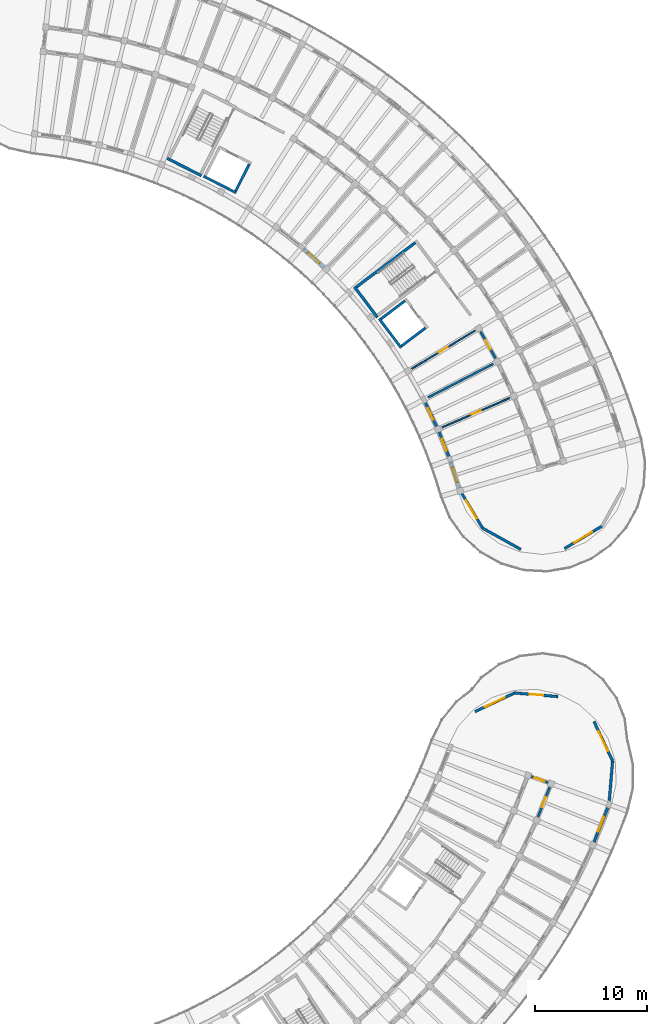
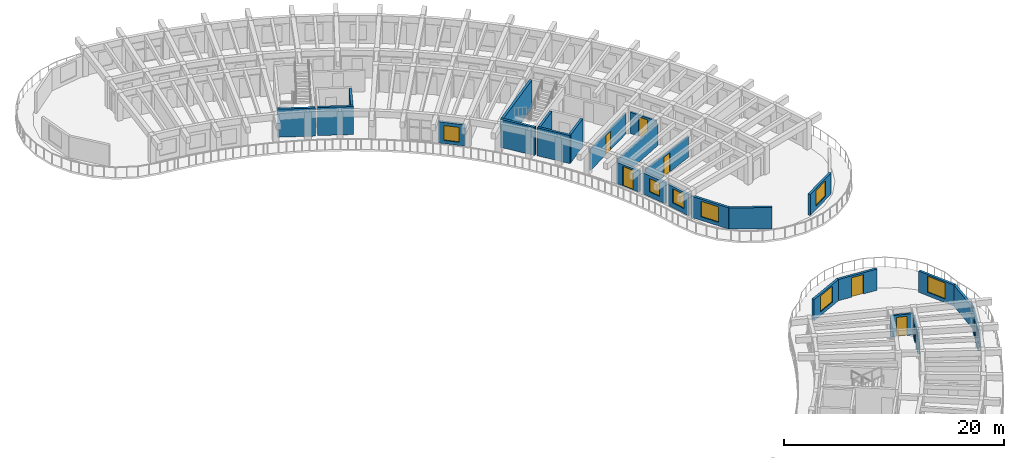
# One storey, part 55 of 81: 26 walls, 8 windows, 7 doors, 15 openings.
"""IFC4 building model written with IfcOpenShell, lengths in metres."""

from ifc_helpers import new_model, si_unit, direction, frame, frame_2d, origin, place, context, subcontext, project, spatial, rectangle, extrude, material, layer, layer_set, type_object, element, fill, save


model = new_model("IFC4")

# Units and contexts
model_context = context("Model", 3, precision=1e-05, world=origin(), true_north=direction((0.0, 1.0)))
body_context = subcontext(model_context, "Body", "Model", "MODEL_VIEW")
ifc_project = project(units=[si_unit("LENGTHUNIT", "METRE"), si_unit("AREAUNIT", "SQUARE_METRE"), si_unit("VOLUMEUNIT", "CUBIC_METRE"), si_unit("PLANEANGLEUNIT", "RADIAN"), si_unit("MASSUNIT", "GRAM", prefix="KILO")], contexts=[model_context])

# Site, building, storey
site_placement = place(None, origin())
site = spatial("IfcSite", under=ifc_project, at=site_placement, CompositionType="ELEMENT")
building_placement = place(site_placement, origin())
building = spatial("IfcBuilding", under=site, at=building_placement, Name="Tanwirah Colonnade Gardens", CompositionType="ELEMENT")
storey_placement = place(building_placement, frame((0.0, 0.0, 18.919921875)))
storey = spatial("IfcBuildingStorey", under=building, at=storey_placement, Name="L05", CompositionType="ELEMENT", Elevation=18.919921875)

# Wall, opening, window
ifc_material_1 = material(Name="Limestone architectural precast concrete C40/50", Category="masonry")
ifc_layer_1 = layer(ifc_material_1, 0.239990234375)
ifc_layer_set_1 = layer_set([ifc_layer_1], Name="Limestone architectural precast concrete C40/50")
wall_type_1 = type_object("IfcWallType", Name="EW-PC240", PredefinedType="SOLIDWALL", material=ifc_layer_set_1)
wall_1_placement = place(storey_placement, frame((163.65283203125, 72.685302734375, 0.0), z_axis=(0.0, 0.0, 1.0), x_axis=(-0.30716379336, 0.951656662903, 0.0)))
wall_1 = element("IfcWall", 1, at=wall_1_placement, inside=storey, type_object=wall_type_1, Name="Block B L05 IN Precast Facade Wall 0", PredefinedType="SOLIDWALL", context=body_context, shape_type="SweptSolid", body=[
    extrude(rectangle(XDim=2.525146484375, YDim=0.239990234375, at=frame_2d((1.2626953125, 0.0))), origin(), (0.0, 0.0, 1.0), 2.35498046875),
])
opening_1_placement = place(wall_1_placement, frame((0.572509765625, 0.0, 0.550048828125)))
opening_1 = element("IfcOpeningElement", 2, at=opening_1_placement, cuts=wall_1, Name="Opening WIN-T18", PredefinedType="OPENING", context=body_context, shape_type="SweptSolid", body=[
    extrude(rectangle(XDim=1.3798828125, YDim=1.56005859375, at=frame_2d((0.68994140625, 0.780029296875))), frame((0.0, 0.1298828125, 0.0), z_axis=(0.0, -1.0, 0.0), x_axis=(1.0, 0.0, 0.0)), (0.0, 0.0, 1.0), 0.260009765625),
])
ifc_material_2 = material(Name="Thermally broken bronze aluminium and solar low-E double glazing", Category="aluminium")
window_type_1 = type_object("IfcWindowType", Name="WIN-T18", PartitioningType="DOUBLE_PANEL_VERTICAL", PredefinedType="WINDOW", material=ifc_material_2)
window_1_placement = place(opening_1_placement, origin())
window_1 = element("IfcWindow", 3, at=window_1_placement, inside=storey, type_object=window_type_1, Name="Facade window B-L05-IN-00", OverallHeight=1.56005859375, OverallWidth=1.3798828125, PartitioningType="SINGLE_PANEL", PredefinedType="WINDOW", context=body_context, shape_type="SweptSolid", body=[
    extrude(rectangle(XDim=1.3798828125, YDim=1.56005859375, at=frame_2d((0.68994140625, 0.780029296875))), frame((0.0, 0.030029296875, 0.0), z_axis=(0.0, -1.0, 0.0), x_axis=(1.0, 0.0, 0.0)), (0.0, 0.0, 1.0), 0.06005859375),
])
fill(opening_1, window_1)

wall_2_placement = place(storey_placement, frame((162.768798828125, 75.389404296875, 0.0), z_axis=(0.0, 0.0, 1.0), x_axis=(-0.369122600107, 0.92938071106, 0.0)))
wall_2 = element("IfcWall", 4, at=wall_2_placement, inside=storey, type_object=wall_type_1, Name="Block B L05 IN Precast Facade Wall 1", PredefinedType="SOLIDWALL", context=body_context, shape_type="SweptSolid", body=[
    extrude(rectangle(XDim=2.525146484375, YDim=0.239990234375, at=frame_2d((1.2626953125, 0.0))), origin(), (0.0, 0.0, 1.0), 2.35498046875),
])
opening_2_placement = place(wall_2_placement, frame((0.6826171875, 0.0, 0.550048828125)))
opening_2 = element("IfcOpeningElement", 5, at=opening_2_placement, cuts=wall_2, Name="Opening WIN-U01", PredefinedType="OPENING", context=body_context, shape_type="SweptSolid", body=[
    extrude(rectangle(XDim=1.159912109375, YDim=1.485107421875, at=frame_2d((0.580078125, 0.74267578125))), frame((0.0, 0.1298828125, 0.0), z_axis=(0.0, -1.0, 0.0), x_axis=(1.0, 0.0, 0.0)), (0.0, 0.0, 1.0), 0.260009765625),
])
window_type_2 = type_object("IfcWindowType", Name="WIN-U01", PartitioningType="DOUBLE_PANEL_VERTICAL", PredefinedType="WINDOW", material=ifc_material_2)
window_2_placement = place(opening_2_placement, origin())
window_2 = element("IfcWindow", 6, at=window_2_placement, inside=storey, type_object=window_type_2, Name="Facade window B-L05-IN-01", OverallHeight=1.485107421875, OverallWidth=1.159912109375, PartitioningType="SINGLE_PANEL", PredefinedType="WINDOW", context=body_context, shape_type="SweptSolid", body=[
    extrude(rectangle(XDim=1.159912109375, YDim=1.485107421875, at=frame_2d((0.580078125, 0.74267578125))), frame((0.0, 0.030029296875, 0.0), z_axis=(0.0, -1.0, 0.0), x_axis=(1.0, 0.0, 0.0)), (0.0, 0.0, 1.0), 0.06005859375),
])
fill(opening_2, window_2)

# Wall, opening, door
wall_3_placement = place(storey_placement, frame((161.640869140625, 78.18505859375, 0.0), z_axis=(0.0, 0.0, 1.0), x_axis=(-0.429610836066, 0.903014135844, 0.0)))
wall_3 = element("IfcWall", 7, at=wall_3_placement, inside=storey, type_object=wall_type_1, Name="Block B L05 IN Precast Facade Wall 2", PredefinedType="SOLIDWALL", context=body_context, shape_type="SweptSolid", body=[
    extrude(rectangle(XDim=2.525390625, YDim=0.239990234375, at=frame_2d((1.2626953125, 0.0))), origin(), (0.0, 0.0, 1.0), 2.35498046875),
])
opening_3_placement = place(wall_3_placement, frame((0.692626953125, 0.0, 0.0)))
opening_3 = element("IfcOpeningElement", 8, at=opening_3_placement, cuts=wall_3, Name="Opening L05-ED090", PredefinedType="OPENING", context=body_context, shape_type="SweptSolid", body=[
    extrude(rectangle(XDim=1.139892578125, YDim=2.159912109375, at=frame_2d((0.56982421875, 1.080078125))), frame((0.0, 0.1298828125, 0.0), z_axis=(0.0, -1.0, 0.0), x_axis=(1.0, 0.0, 0.0)), (0.0, 0.0, 1.0), 0.260009765625),
])
ifc_material_3 = material(Name="Bronze aluminium glazed balcony door", Category="aluminium")
door_type_1 = type_object("IfcDoorType", Name="ED-BAL114", OperationType="NOTDEFINED", PredefinedType="DOOR", material=ifc_material_3)
door_1_placement = place(opening_3_placement, origin())
door_1 = element("IfcDoor", 9, at=door_1_placement, inside=storey, type_object=door_type_1, Name="Balcony glazed door L05-ED090", OperationType="SINGLE_SWING_RIGHT", OverallHeight=2.159912109375, OverallWidth=1.139892578125, PredefinedType="DOOR", context=body_context, shape_type="SweptSolid", body=[
    extrude(rectangle(XDim=1.139892578125, YDim=2.159912109375, at=frame_2d((0.56982421875, 1.080078125))), frame((0.0, 0.02490234375, 0.0), z_axis=(0.0, -1.0, 0.0), x_axis=(1.0, 0.0, 0.0)), (0.0, 0.0, 1.0), 0.050048828125),
])
fill(opening_3, door_1)

# Wall, opening, window
wall_4_placement = place(storey_placement, frame((151.571044921875, 92.457763671875, 0.0), z_axis=(0.0, 0.0, 1.0), x_axis=(-0.744489903584, 0.667633719536, 0.0)))
wall_4 = element("IfcWall", 10, at=wall_4_placement, inside=storey, type_object=wall_type_1, Name="Block B L05 IN Precast Facade Wall 8", PredefinedType="SOLIDWALL", context=body_context, shape_type="SweptSolid", body=[
    extrude(rectangle(XDim=2.525390625, YDim=0.239990234375, at=frame_2d((1.2626953125, 0.0))), origin(), (0.0, 0.0, 1.0), 2.35498046875),
])
opening_4_placement = place(wall_4_placement, frame((0.5625, 0.0, 0.35009765625)))
opening_4 = element("IfcOpeningElement", 11, at=opening_4_placement, cuts=wall_4, Name="Opening WIN-T06", PredefinedType="OPENING", context=body_context, shape_type="SweptSolid", body=[
    extrude(rectangle(XDim=1.39990234375, YDim=1.64990234375, at=frame_2d((0.699951171875, 0.824951171875))), frame((0.0, 0.1298828125, 0.0), z_axis=(0.0, -1.0, 0.0), x_axis=(1.0, 0.0, 0.0)), (0.0, 0.0, 1.0), 0.260009765625),
])
window_type_3 = type_object("IfcWindowType", Name="WIN-T06", PartitioningType="DOUBLE_PANEL_VERTICAL", PredefinedType="WINDOW", material=ifc_material_2)
window_3_placement = place(opening_4_placement, origin())
window_3 = element("IfcWindow", 12, at=window_3_placement, inside=storey, type_object=window_type_3, Name="Facade window B-L05-IN-08", OverallHeight=1.64990234375, OverallWidth=1.39990234375, PartitioningType="SINGLE_PANEL", PredefinedType="WINDOW", context=body_context, shape_type="SweptSolid", body=[
    extrude(rectangle(XDim=1.39990234375, YDim=1.64990234375, at=frame_2d((0.699951171875, 0.824951171875))), frame((0.0, 0.030029296875, 0.0), z_axis=(0.0, -1.0, 0.0), x_axis=(1.0, 0.0, 0.0)), (0.0, 0.0, 1.0), 0.06005859375),
])
fill(opening_4, window_3)

wall_5_placement = place(storey_placement, frame((176.41650390625, 69.28857421875, 0.0), z_axis=(0.0, 0.0, 1.0), x_axis=(-0.85715098885, -0.515065221417, 0.0)))
wall_5 = element("IfcWall", 13, at=wall_5_placement, inside=storey, type_object=wall_type_1, Name="Block B L05 START Rounded End Wall 2", PredefinedType="SOLIDWALL", context=body_context, shape_type="SweptSolid", body=[
    extrude(rectangle(XDim=3.908203125, YDim=0.239990234375, at=frame_2d((1.9541015625, 0.0))), origin(), (0.0, 0.0, 1.0), 2.35498046875),
])
opening_5_placement = place(wall_5_placement, frame((1.029052734375, 0.0, 0.39990234375)))
opening_5 = element("IfcOpeningElement", 14, at=opening_5_placement, cuts=wall_5, Name="Opening WIN-END1", PredefinedType="OPENING", context=body_context, shape_type="SweptSolid", body=[
    extrude(rectangle(XDim=1.85009765625, YDim=1.719970703125, at=frame_2d((0.925048828125, 0.85986328125))), frame((0.0, 0.1298828125, 0.0), z_axis=(0.0, -1.0, 0.0), x_axis=(1.0, 0.0, 0.0)), (0.0, 0.0, 1.0), 0.260009765625),
])
window_type_4 = type_object("IfcWindowType", Name="WIN-END1", PartitioningType="TRIPLE_PANEL_VERTICAL", PredefinedType="WINDOW", material=ifc_material_2)
window_4_placement = place(opening_5_placement, origin())
window_4 = element("IfcWindow", 15, at=window_4_placement, inside=storey, type_object=window_type_4, Name="Rounded corner window B-L05-START-2", OverallHeight=1.719970703125, OverallWidth=1.85009765625, PartitioningType="SINGLE_PANEL", PredefinedType="WINDOW", context=body_context, shape_type="SweptSolid", body=[
    extrude(rectangle(XDim=1.85009765625, YDim=1.719970703125, at=frame_2d((0.925048828125, 0.85986328125))), frame((0.0, 0.030029296875, 0.0), z_axis=(0.0, -1.0, 0.0), x_axis=(1.0, 0.0, 0.0)), (0.0, 0.0, 1.0), 0.06005859375),
])
fill(opening_5, window_4)

# Wall
wall_6_placement = place(storey_placement, frame((169.1591796875, 67.20751953125, 0.0), z_axis=(0.0, 0.0, 1.0), x_axis=(-0.874643043537, 0.484767517881, 0.0)))
element("IfcWall", 16, at=wall_6_placement, inside=storey, type_object=wall_type_1, Name="Block B L05 START Rounded End Wall 4", PredefinedType="SOLIDWALL", context=body_context, shape_type="SweptSolid", body=[
    extrude(rectangle(XDim=3.908203125, YDim=0.239990234375, at=frame_2d((1.9541015625, 0.0))), origin(), (0.0, 0.0, 1.0), 2.35498046875),
])

# Wall, opening, window
wall_7_placement = place(storey_placement, frame((165.740966796875, 69.10205078125, 0.0), z_axis=(0.0, 0.0, 1.0), x_axis=(-0.515037642827, 0.857167560324, 0.0)))
wall_7 = element("IfcWall", 17, at=wall_7_placement, inside=storey, type_object=wall_type_1, Name="Block B L05 START Rounded End Wall 5", PredefinedType="SOLIDWALL", context=body_context, shape_type="SweptSolid", body=[
    extrude(rectangle(XDim=3.908447265625, YDim=0.239990234375, at=frame_2d((1.9541015625, 0.0))), origin(), (0.0, 0.0, 1.0), 2.35498046875),
])
opening_6_placement = place(wall_7_placement, frame((1.029052734375, 0.0, 0.39990234375)))
opening_6 = element("IfcOpeningElement", 18, at=opening_6_placement, cuts=wall_7, Name="Opening WIN-END1", PredefinedType="OPENING", context=body_context, shape_type="SweptSolid", body=[
    extrude(rectangle(XDim=1.85009765625, YDim=1.719970703125, at=frame_2d((0.925048828125, 0.85986328125))), frame((0.0, 0.1298828125, 0.0), z_axis=(0.0, -1.0, 0.0), x_axis=(1.0, 0.0, 0.0)), (0.0, 0.0, 1.0), 0.260009765625),
])
window_5_placement = place(opening_6_placement, origin())
window_5 = element("IfcWindow", 19, at=window_5_placement, inside=storey, type_object=window_type_4, Name="Rounded corner window B-L05-START-5", OverallHeight=1.719970703125, OverallWidth=1.85009765625, PartitioningType="SINGLE_PANEL", PredefinedType="WINDOW", context=body_context, shape_type="SweptSolid", body=[
    extrude(rectangle(XDim=1.85009765625, YDim=1.719970703125, at=frame_2d((0.925048828125, 0.85986328125))), frame((0.0, 0.030029296875, 0.0), z_axis=(0.0, -1.0, 0.0), x_axis=(1.0, 0.0, 0.0)), (0.0, 0.0, 1.0), 0.06005859375),
])
fill(opening_6, window_5)

wall_8_placement = place(storey_placement, frame((175.703125, 40.98681640625, 0.0), z_axis=(0.0, 0.0, 1.0), x_axis=(0.368503667074, 0.929626294461, 0.0)))
wall_8 = element("IfcWall", 20, at=wall_8_placement, inside=storey, type_object=wall_type_1, Name="Block D L05 OUT Precast Facade Wall 14", PredefinedType="SOLIDWALL", context=body_context, shape_type="SweptSolid", body=[
    extrude(rectangle(XDim=3.48681640625, YDim=0.239990234375, at=frame_2d((1.743408203125, 0.0))), origin(), (0.0, 0.0, 1.0), 2.35498046875),
])
opening_7_placement = place(wall_8_placement, frame((1.04345703125, 0.0, 0.35009765625)))
opening_7 = element("IfcOpeningElement", 21, at=opening_7_placement, cuts=wall_8, Name="Opening WIN-U07", PredefinedType="OPENING", context=body_context, shape_type="SweptSolid", body=[
    extrude(rectangle(XDim=1.39990234375, YDim=1.635009765625, at=frame_2d((0.699951171875, 0.8173828125))), frame((0.0, 0.1298828125, 0.0), z_axis=(0.0, -1.0, 0.0), x_axis=(1.0, 0.0, 0.0)), (0.0, 0.0, 1.0), 0.260009765625),
])
window_type_5 = type_object("IfcWindowType", Name="WIN-U07", PartitioningType="DOUBLE_PANEL_VERTICAL", PredefinedType="WINDOW", material=ifc_material_2)
window_6_placement = place(opening_7_placement, origin())
window_6 = element("IfcWindow", 22, at=window_6_placement, inside=storey, type_object=window_type_5, Name="Facade window D-L05-OUT-14", OverallHeight=1.635009765625, OverallWidth=1.39990234375, PartitioningType="SINGLE_PANEL", PredefinedType="WINDOW", context=body_context, shape_type="SweptSolid", body=[
    extrude(rectangle(XDim=1.39990234375, YDim=1.635009765625, at=frame_2d((0.699951171875, 0.8173828125))), frame((0.0, 0.030029296875, 0.0), z_axis=(0.0, -1.0, 0.0), x_axis=(1.0, 0.0, 0.0)), (0.0, 0.0, 1.0), 0.06005859375),
])
fill(opening_7, window_6)

wall_9_placement = place(storey_placement, frame((165.06298828125, 52.690673828125, 0.0), z_axis=(0.0, 0.0, 1.0), x_axis=(0.904437504678, 0.426606141694, 0.0)))
wall_9 = element("IfcWall", 23, at=wall_9_placement, inside=storey, type_object=wall_type_1, Name="Block D L05 END Rounded End Wall 1", PredefinedType="SOLIDWALL", context=body_context, shape_type="SweptSolid", body=[
    extrude(rectangle(XDim=3.908203125, YDim=0.239990234375, at=frame_2d((1.9541015625, 0.0))), origin(), (0.0, 0.0, 1.0), 2.35498046875),
])
opening_8_placement = place(wall_9_placement, frame((0.97900390625, 0.0, 0.39990234375)))
opening_8 = element("IfcOpeningElement", 24, at=opening_8_placement, cuts=wall_9, Name="Opening WIN-END2", PredefinedType="OPENING", context=body_context, shape_type="SweptSolid", body=[
    extrude(rectangle(XDim=1.949951171875, YDim=1.780029296875, at=frame_2d((0.97509765625, 0.89013671875))), frame((0.0, 0.1298828125, 0.0), z_axis=(0.0, -1.0, 0.0), x_axis=(1.0, 0.0, 0.0)), (0.0, 0.0, 1.0), 0.260009765625),
])
window_type_6 = type_object("IfcWindowType", Name="WIN-END2", PartitioningType="TRIPLE_PANEL_VERTICAL", PredefinedType="WINDOW", material=ifc_material_2)
window_7_placement = place(opening_8_placement, origin())
window_7 = element("IfcWindow", 25, at=window_7_placement, inside=storey, type_object=window_type_6, Name="Rounded corner window D-L05-END-1", OverallHeight=1.780029296875, OverallWidth=1.949951171875, PartitioningType="SINGLE_PANEL", PredefinedType="WINDOW", context=body_context, shape_type="SweptSolid", body=[
    extrude(rectangle(XDim=1.949951171875, YDim=1.780029296875, at=frame_2d((0.97509765625, 0.89013671875))), frame((0.0, 0.030029296875, 0.0), z_axis=(0.0, -1.0, 0.0), x_axis=(1.0, 0.0, 0.0)), (0.0, 0.0, 1.0), 0.06005859375),
])
fill(opening_8, window_7)

# Wall, opening, door
wall_10_placement = place(storey_placement, frame((168.59765625, 54.35791015625, 0.0), z_axis=(0.0, 0.0, 1.0), x_axis=(0.99656339927, -0.082833515165, 0.0)))
wall_10 = element("IfcWall", 26, at=wall_10_placement, inside=storey, type_object=wall_type_1, Name="Block D L05 END Rounded End Wall 2", PredefinedType="SOLIDWALL", context=body_context, shape_type="SweptSolid", body=[
    extrude(rectangle(XDim=3.908203125, YDim=0.239990234375, at=frame_2d((1.9541015625, 0.0))), origin(), (0.0, 0.0, 1.0), 2.35498046875),
])
opening_9_placement = place(wall_10_placement, frame((1.35400390625, 0.0, 0.0)))
opening_9 = element("IfcOpeningElement", 27, at=opening_9_placement, cuts=wall_10, Name="Opening L05-ED203", PredefinedType="OPENING", context=body_context, shape_type="SweptSolid", body=[
    extrude(rectangle(XDim=1.199951171875, YDim=2.14990234375, at=frame_2d((0.60009765625, 1.074951171875))), frame((0.0, 0.1298828125, 0.0), z_axis=(0.0, -1.0, 0.0), x_axis=(1.0, 0.0, 0.0)), (0.0, 0.0, 1.0), 0.260009765625),
])
ifc_material_4 = material(Name="Bronze aluminium glazed terrace door", Category="aluminium")
door_type_2 = type_object("IfcDoorType", Name="ED-TER120", OperationType="NOTDEFINED", PredefinedType="DOOR", material=ifc_material_4)
door_2_placement = place(opening_9_placement, origin())
door_2 = element("IfcDoor", 28, at=door_2_placement, inside=storey, type_object=door_type_2, Name="Stepped corner terrace door L05-ED203", OperationType="SINGLE_SWING_LEFT", OverallHeight=2.14990234375, OverallWidth=1.199951171875, PredefinedType="DOOR", context=body_context, shape_type="SweptSolid", body=[
    extrude(rectangle(XDim=1.199951171875, YDim=2.14990234375, at=frame_2d((0.60009765625, 1.074951171875))), frame((0.0, 0.02490234375, 0.0), z_axis=(0.0, -1.0, 0.0), x_axis=(1.0, 0.0, 0.0)), (0.0, 0.0, 1.0), 0.050048828125),
])
fill(opening_9, door_2)

# Wall, opening, window
wall_11_placement = place(storey_placement, frame((175.70361328125, 51.806640625, 0.0), z_axis=(0.0, 0.0, 1.0), x_axis=(0.42653093848, -0.904472972796, 0.0)))
wall_11 = element("IfcWall", 29, at=wall_11_placement, inside=storey, type_object=wall_type_1, Name="Block D L05 END Rounded End Wall 4", PredefinedType="SOLIDWALL", context=body_context, shape_type="SweptSolid", body=[
    extrude(rectangle(XDim=3.908203125, YDim=0.239990234375, at=frame_2d((1.9541015625, 0.0))), origin(), (0.0, 0.0, 1.0), 2.35498046875),
])
opening_10_placement = place(wall_11_placement, frame((0.97900390625, 0.0, 0.39990234375)))
opening_10 = element("IfcOpeningElement", 30, at=opening_10_placement, cuts=wall_11, Name="Opening WIN-END2", PredefinedType="OPENING", context=body_context, shape_type="SweptSolid", body=[
    extrude(rectangle(XDim=1.949951171875, YDim=1.780029296875, at=frame_2d((0.97509765625, 0.89013671875))), frame((0.0, 0.1298828125, 0.0), z_axis=(0.0, -1.0, 0.0), x_axis=(1.0, 0.0, 0.0)), (0.0, 0.0, 1.0), 0.260009765625),
])
window_8_placement = place(opening_10_placement, origin())
window_8 = element("IfcWindow", 31, at=window_8_placement, inside=storey, type_object=window_type_6, Name="Rounded corner window D-L05-END-4", OverallHeight=1.780029296875, OverallWidth=1.949951171875, PartitioningType="SINGLE_PANEL", PredefinedType="WINDOW", context=body_context, shape_type="SweptSolid", body=[
    extrude(rectangle(XDim=1.949951171875, YDim=1.780029296875, at=frame_2d((0.97509765625, 0.89013671875))), frame((0.0, 0.030029296875, 0.0), z_axis=(0.0, -1.0, 0.0), x_axis=(1.0, 0.0, 0.0)), (0.0, 0.0, 1.0), 0.06005859375),
])
fill(opening_10, window_8)

# Wall
wall_12_placement = place(storey_placement, frame((177.37060546875, 48.271728515625, 0.0), z_axis=(0.0, 0.0, 1.0), x_axis=(-0.082771474592, -0.996568554086, 0.0)))
element("IfcWall", 32, at=wall_12_placement, inside=storey, type_object=wall_type_1, Name="Block D L05 END Rounded End Wall 5", PredefinedType="SOLIDWALL", context=body_context, shape_type="SweptSolid", body=[
    extrude(rectangle(XDim=3.908203125, YDim=0.239990234375, at=frame_2d((1.9541015625, 0.0))), origin(), (0.0, 0.0, 1.0), 2.35498046875),
])

# Wall, opening, door
ifc_material_5 = material(Name="Precast concrete C40/50", Category="concrete")
ifc_layer_2 = layer(ifc_material_5, 0.195068359375)
ifc_layer_set_2 = layer_set([ifc_layer_2], Name="Precast concrete C40/50")
wall_type_2 = type_object("IfcWallType", Name="IW-CORR195", PredefinedType="PARTITIONING", material=ifc_layer_set_2)
wall_13_placement = place(storey_placement, frame((170.696044921875, 43.27294921875, 0.0), z_axis=(0.0, 0.0, 1.0), x_axis=(0.368584691693, 0.929594172233, 0.0)))
wall_13 = element("IfcWall", 33, at=wall_13_placement, inside=storey, type_object=wall_type_2, Name="Block D L05 OUT Corridor Wall 14", PredefinedType="PARTITIONING", context=body_context, shape_type="SweptSolid", body=[
    extrude(rectangle(XDim=2.8369140625, YDim=0.195068359375, at=frame_2d((1.41845703125, 0.0))), origin(), (0.0, 0.0, 1.0), 2.3701171875),
])
opening_11_placement = place(wall_13_placement, frame((0.943603515625, 0.0, 0.0)))
opening_11 = element("IfcOpeningElement", 34, at=opening_11_placement, cuts=wall_13, Name="Opening L05-AD1864", PredefinedType="OPENING", context=body_context, shape_type="SweptSolid", body=[
    extrude(rectangle(XDim=0.949951171875, YDim=2.1298828125, at=frame_2d((0.47509765625, 1.06494140625))), frame((0.0, 0.107421875, 0.0), z_axis=(0.0, -1.0, 0.0), x_axis=(1.0, 0.0, 0.0)), (0.0, 0.0, 1.0), 0.215087890625),
])
ifc_material_6 = material(Name="Solid oak fire-resisting apartment entrance door")
door_type_3 = type_object("IfcDoorType", Name="ID-FLT095", OperationType="NOTDEFINED", PredefinedType="DOOR", material=ifc_material_6)
door_3_placement = place(opening_11_placement, origin())
door_3 = element("IfcDoor", 35, at=door_3_placement, inside=storey, type_object=door_type_3, Name="Apartment corridor door L05-AD1864", OperationType="SINGLE_SWING_RIGHT", OverallHeight=2.1298828125, OverallWidth=0.949951171875, PredefinedType="DOOR", context=body_context, shape_type="SweptSolid", body=[
    extrude(rectangle(XDim=0.949951171875, YDim=2.1298828125, at=frame_2d((0.47509765625, 1.06494140625))), frame((0.0, 0.02490234375, 0.0), z_axis=(0.0, -1.0, 0.0), x_axis=(1.0, 0.0, 0.0)), (0.0, 0.0, 1.0), 0.050048828125),
])
fill(opening_11, door_3)

wall_14_placement = place(storey_placement, frame((169.846923828125, 46.962158203125, 0.0), z_axis=(0.0, 0.0, 1.0), x_axis=(0.941167179085, -0.337941327767, 0.0)))
wall_14 = element("IfcWall", 36, at=wall_14_placement, inside=storey, type_object=wall_type_2, Name="Block D L05 CE Corner Suite Corridor Wall", PredefinedType="PARTITIONING", context=body_context, shape_type="SweptSolid", body=[
    extrude(rectangle(XDim=2.10009765625, YDim=0.195068359375, at=frame_2d((1.050048828125, 0.0))), origin(), (0.0, 0.0, 1.0), 2.3701171875),
])
opening_12_placement = place(wall_14_placement, frame((0.570068359375, 0.0, 0.0)))
opening_12 = element("IfcOpeningElement", 37, at=opening_12_placement, cuts=wall_14, Name="Opening L05-CD1867", PredefinedType="OPENING", context=body_context, shape_type="SweptSolid", body=[
    extrude(rectangle(XDim=0.949951171875, YDim=2.1298828125, at=frame_2d((0.47509765625, 1.06494140625))), frame((0.0, 0.107421875, 0.0), z_axis=(0.0, -1.0, 0.0), x_axis=(1.0, 0.0, 0.0)), (0.0, 0.0, 1.0), 0.215087890625),
])
door_4_placement = place(opening_12_placement, origin())
door_4 = element("IfcDoor", 38, at=door_4_placement, inside=storey, type_object=door_type_3, Name="Corner suite entrance door L05-CD1867", OperationType="SINGLE_SWING_RIGHT", OverallHeight=2.1298828125, OverallWidth=0.949951171875, PredefinedType="DOOR", context=body_context, shape_type="SweptSolid", body=[
    extrude(rectangle(XDim=0.949951171875, YDim=2.1298828125, at=frame_2d((0.47509765625, 1.06494140625))), frame((0.0, 0.02490234375, 0.0), z_axis=(0.0, -1.0, 0.0), x_axis=(1.0, 0.0, 0.0)), (0.0, 0.0, 1.0), 0.050048828125),
])
fill(opening_12, door_4)

ifc_layer_3 = layer(ifc_material_5, 0.205078125)
ifc_layer_set_3 = layer_set([ifc_layer_3], Name="Precast concrete C40/50")
wall_type_3 = type_object("IfcWallType", Name="IW-CORR205", PredefinedType="PARTITIONING", material=ifc_layer_set_3)
wall_15_placement = place(storey_placement, frame((166.89013671875, 84.313232421875, 0.0), z_axis=(0.0, 0.0, 1.0), x_axis=(-0.48819576874, 0.872734147025, 0.0)))
wall_15 = element("IfcWall", 39, at=wall_15_placement, inside=storey, type_object=wall_type_3, Name="Block B L05 IN Corridor Wall 3", PredefinedType="PARTITIONING", context=body_context, shape_type="SweptSolid", body=[
    extrude(rectangle(XDim=2.718017578125, YDim=0.205078125, at=frame_2d((1.35888671875, 0.0))), origin(), (0.0, 0.0, 1.0), 2.3701171875),
])
opening_13_placement = place(wall_15_placement, frame((0.8740234375, 0.0, 0.0)))
opening_13 = element("IfcOpeningElement", 40, at=opening_13_placement, cuts=wall_15, Name="Opening L05-AD1011", PredefinedType="OPENING", context=body_context, shape_type="SweptSolid", body=[
    extrude(rectangle(XDim=0.969970703125, YDim=2.14990234375, at=frame_2d((0.48486328125, 1.074951171875))), frame((0.0, 0.112548828125, 0.0), z_axis=(0.0, -1.0, 0.0), x_axis=(1.0, 0.0, 0.0)), (0.0, 0.0, 1.0), 0.22509765625),
])
door_type_4 = type_object("IfcDoorType", Name="ID-FLT097", OperationType="NOTDEFINED", PredefinedType="DOOR", material=ifc_material_6)
door_5_placement = place(opening_13_placement, origin())
door_5 = element("IfcDoor", 41, at=door_5_placement, inside=storey, type_object=door_type_4, Name="Apartment corridor door L05-AD1011", OperationType="SINGLE_SWING_RIGHT", OverallHeight=2.14990234375, OverallWidth=0.969970703125, PredefinedType="DOOR", context=body_context, shape_type="SweptSolid", body=[
    extrude(rectangle(XDim=0.969970703125, YDim=2.14990234375, at=frame_2d((0.48486328125, 1.074951171875))), frame((0.0, 0.02490234375, 0.0), z_axis=(0.0, -1.0, 0.0), x_axis=(1.0, 0.0, 0.0)), (0.0, 0.0, 1.0), 0.050048828125),
])
fill(opening_13, door_5)

# Wall
ifc_layer_4 = layer(ifc_material_5, 0.18505859375)
ifc_layer_set_4 = layer_set([ifc_layer_4], Name="Precast concrete C40/50")
wall_type_4 = type_object("IfcWallType", Name="IW-DEM185", PredefinedType="PARTITIONING", material=ifc_layer_set_4)
wall_16_placement = place(storey_placement, frame((160.842529296875, 80.793701171875, 0.0), z_axis=(0.0, 0.0, 1.0), x_axis=(0.888346696024, 0.459173330741, 0.0)))
element("IfcWall", 42, at=wall_16_placement, inside=storey, type_object=wall_type_4, Name="Block B L05 Inner Radial Partition 2", PredefinedType="PARTITIONING", context=body_context, shape_type="SweptSolid", body=[
    extrude(rectangle(XDim=6.599853515625, YDim=0.18505859375, at=frame_2d((3.2998046875, 0.0))), origin(), (0.0, 0.0, 1.0), 2.3701171875),
])

# Wall, opening, door
ifc_material_7 = material(Name="Moisture-resistant gypsum stud partition")
ifc_layer_5 = layer(ifc_material_7, 0.125)
ifc_layer_set_5 = layer_set([ifc_layer_5], Name="Moisture-resistant gypsum stud partition")
wall_type_5 = type_object("IfcWallType", Name="IW-INT125", PredefinedType="PARTITIONING", material=ifc_layer_set_5)
wall_17_placement = place(storey_placement, frame((162.11279296875, 78.123779296875, 0.0), z_axis=(0.0, 0.0, 1.0), x_axis=(0.916668515796, 0.399648385645, 0.0)))
wall_17 = element("IfcWall", 43, at=wall_17_placement, inside=storey, type_object=wall_type_5, Name="Block B L05 Inner Radial Partition 1", PredefinedType="PARTITIONING", context=body_context, shape_type="SweptSolid", body=[
    extrude(rectangle(XDim=6.60009765625, YDim=0.125, at=frame_2d((3.300048828125, 0.0))), origin(), (0.0, 0.0, 1.0), 2.3701171875),
])
opening_14_placement = place(wall_17_placement, frame((2.85498046875, 0.0, 0.0)))
opening_14 = element("IfcOpeningElement", 44, at=opening_14_placement, cuts=wall_17, Name="Opening L05-RD1006", PredefinedType="OPENING", context=body_context, shape_type="SweptSolid", body=[
    extrude(rectangle(XDim=0.889892578125, YDim=2.10009765625, at=frame_2d((0.44482421875, 1.050048828125))), frame((0.0, 0.072509765625, 0.0), z_axis=(0.0, -1.0, 0.0), x_axis=(1.0, 0.0, 0.0)), (0.0, 0.0, 1.0), 0.14501953125),
])
ifc_material_8 = material(Name="Painted hardwood bedroom door", Category="wood")
door_type_5 = type_object("IfcDoorType", Name="ID-RM089", OperationType="NOTDEFINED", PredefinedType="DOOR", material=ifc_material_8)
door_6_placement = place(opening_14_placement, origin())
door_6 = element("IfcDoor", 45, at=door_6_placement, inside=storey, type_object=door_type_5, Name="Internal apartment door L05-RD1006", OperationType="SINGLE_SWING_RIGHT", OverallHeight=2.10009765625, OverallWidth=0.889892578125, PredefinedType="DOOR", context=body_context, shape_type="SweptSolid", body=[
    extrude(rectangle(XDim=0.889892578125, YDim=2.10009765625, at=frame_2d((0.44482421875, 1.050048828125))), frame((0.0, 0.02490234375, 0.0), z_axis=(0.0, -1.0, 0.0), x_axis=(1.0, 0.0, 0.0)), (0.0, 0.0, 1.0), 0.050048828125),
])
fill(opening_14, door_6)

wall_18_placement = place(storey_placement, frame((159.399169921875, 83.3740234375, 0.0), z_axis=(0.0, 0.0, 1.0), x_axis=(0.85616819337, 0.516697227263, 0.0)))
wall_18 = element("IfcWall", 46, at=wall_18_placement, inside=storey, type_object=wall_type_5, Name="Block B L05 Inner Radial Partition 3", PredefinedType="PARTITIONING", context=body_context, shape_type="SweptSolid", body=[
    extrude(rectangle(XDim=6.599853515625, YDim=0.125, at=frame_2d((3.2998046875, 0.0))), origin(), (0.0, 0.0, 1.0), 2.3701171875),
])
opening_15_placement = place(wall_18_placement, frame((2.844970703125, 0.0, 0.0)))
opening_15 = element("IfcOpeningElement", 47, at=opening_15_placement, cuts=wall_18, Name="Opening L05-RD1012", PredefinedType="OPENING", context=body_context, shape_type="SweptSolid", body=[
    extrude(rectangle(XDim=0.909912109375, YDim=2.10009765625, at=frame_2d((0.455078125, 1.050048828125))), frame((0.0, 0.072509765625, 0.0), z_axis=(0.0, -1.0, 0.0), x_axis=(1.0, 0.0, 0.0)), (0.0, 0.0, 1.0), 0.14501953125),
])
ifc_material_9 = material(Name="Painted hardwood internal room door", Category="wood")
door_type_6 = type_object("IfcDoorType", Name="ID-RM091", OperationType="NOTDEFINED", PredefinedType="DOOR", material=ifc_material_9)
door_7_placement = place(opening_15_placement, origin())
door_7 = element("IfcDoor", 48, at=door_7_placement, inside=storey, type_object=door_type_6, Name="Internal apartment door L05-RD1012", OperationType="SINGLE_SWING_RIGHT", OverallHeight=2.10009765625, OverallWidth=0.909912109375, PredefinedType="DOOR", context=body_context, shape_type="SweptSolid", body=[
    extrude(rectangle(XDim=0.909912109375, YDim=2.10009765625, at=frame_2d((0.455078125, 1.050048828125))), frame((0.0, 0.02490234375, 0.0), z_axis=(0.0, -1.0, 0.0), x_axis=(1.0, 0.0, 0.0)), (0.0, 0.0, 1.0), 0.050048828125),
])
fill(opening_15, door_7)

# Walls
ifc_material_10 = material(Name="Concrete C45/55", Category="concrete")
ifc_layer_6 = layer(ifc_material_10, 0.25)
ifc_layer_set_6 = layer_set([ifc_layer_6], Name="Concrete C45/55")
wall_type_6 = type_object("IfcWallType", Name="SW-CORE250", PredefinedType="SHEAR", material=ifc_layer_set_6)
wall_19_placement = place(storey_placement, frame((159.706787109375, 94.657958984375, 0.0), z_axis=(0.0, 0.0, 1.0), x_axis=(-0.798639633744, -0.601809550782, 0.0)))
element("IfcWall", 49, at=wall_19_placement, inside=storey, type_object=wall_type_6, Name="CORE-B1 L05 Stair Shaft Shear Wall LEFT", PredefinedType="SHEAR", context=body_context, shape_type="SweptSolid", body=[
    extrude(rectangle(XDim=6.599853515625, YDim=0.25, at=frame_2d((3.2998046875, 0.0))), origin(), (0.0, 0.0, 1.0), 3.110107421875),
])
for number, where, z_axis, x_axis, name in (
    (50, (154.2607421875, 90.710693359375, 0.0), (0.0, 0.0, 1.0), (0.601825826579, -0.798627368967, 0.0), "CORE-B1 L05 Stair Shaft Shear Wall FAR"),
    (51, (137.51953125, 102.203369140625, 0.0), (0.0, 0.0, 1.0), (0.891003540237, -0.453996356025, 0.0), "CORE-B2 L05 Stair Shaft Shear Wall FAR"),
):
    element("IfcWall", number, at=place(storey_placement, frame(where, z_axis=z_axis, x_axis=x_axis)), inside=storey, type_object=wall_type_6, Name=name, PredefinedType="SHEAR", context=body_context, shape_type="SweptSolid", body=[
        extrude(rectangle(XDim=3.420166015625, YDim=0.25, at=frame_2d((1.7099609375, 0.0))), origin(), (0.0, 0.0, 1.0), 3.110107421875),
    ])
ifc_layer_7 = layer(ifc_material_10, 0.22998046875)
ifc_layer_set_7 = layer_set([ifc_layer_7], Name="Concrete C45/55")
wall_type_7 = type_object("IfcWallType", Name="SW-LIFT230", PredefinedType="SHEAR", material=ifc_layer_set_7)
wall_20_placement = place(storey_placement, frame((156.4873046875, 87.855712890625, 0.0), z_axis=(0.0, 0.0, 1.0), x_axis=(0.601819781152, -0.798631924615, 0.0)))
element("IfcWall", 52, at=wall_20_placement, inside=storey, type_object=wall_type_7, Name="CORE-B1 L05 Lift Shaft Wall BACK", PredefinedType="SHEAR", context=body_context, shape_type="SweptSolid", body=[
    extrude(rectangle(XDim=3.260009765625, YDim=0.22998046875, at=frame_2d((1.6298828125, 0.0))), origin(), (0.0, 0.0, 1.0), 3.110107421875),
])
for number, where, z_axis, x_axis, name in (
    (53, (158.8046875, 89.4580078125, 0.0), (0.0, 0.0, 1.0), (-0.798608971494, -0.601850239387, 0.0), "CORE-B1 L05 Lift Shaft Wall SIDEA"),
    (54, (160.628173828125, 87.0380859375, 0.0), (0.0, 0.0, 1.0), (-0.798608971494, -0.601850239387, 0.0), "CORE-B1 L05 Lift Shaft Wall SIDEB"),
):
    element("IfcWall", number, at=place(storey_placement, frame(where, z_axis=z_axis, x_axis=x_axis)), inside=storey, type_object=wall_type_7, Name=name, PredefinedType="SHEAR", context=body_context, shape_type="SweptSolid", body=[
        extrude(rectangle(XDim=2.699951171875, YDim=0.22998046875, at=frame_2d((1.35009765625, 0.0))), origin(), (0.0, 0.0, 1.0), 3.110107421875),
    ])
wall_21_placement = place(storey_placement, frame((140.772216796875, 100.61328125, 0.0), z_axis=(0.0, 0.0, 1.0), x_axis=(0.891016635648, -0.453970654337, 0.0)))
element("IfcWall", 55, at=wall_21_placement, inside=storey, type_object=wall_type_7, Name="CORE-B2 L05 Lift Shaft Wall BACK", PredefinedType="SHEAR", context=body_context, shape_type="SweptSolid", body=[
    extrude(rectangle(XDim=3.260009765625, YDim=0.22998046875, at=frame_2d((1.6298828125, 0.0))), origin(), (0.0, 0.0, 1.0), 3.110107421875),
])
wall_22_placement = place(storey_placement, frame((144.8525390625, 101.693603515625, 0.0), z_axis=(0.0, 0.0, 1.0), x_axis=(-0.454036857101, -0.890982902414, 0.0)))
element("IfcWall", 56, at=wall_22_placement, inside=storey, type_object=wall_type_7, Name="CORE-B2 L05 Lift Shaft Wall SIDEB", PredefinedType="SHEAR", context=body_context, shape_type="SweptSolid", body=[
    extrude(rectangle(XDim=2.699951171875, YDim=0.22998046875, at=frame_2d((1.35009765625, 0.0))), origin(), (0.0, 0.0, 1.0), 3.110107421875),
])

save(model, "model.ifc")
